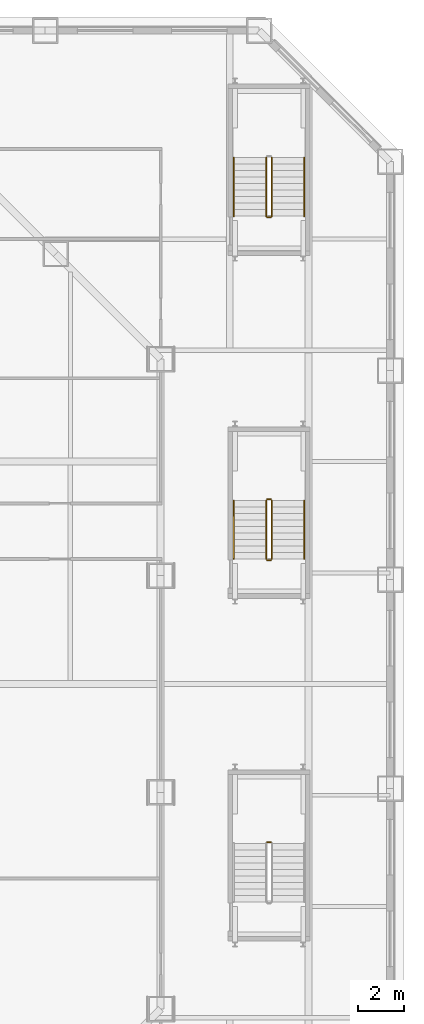
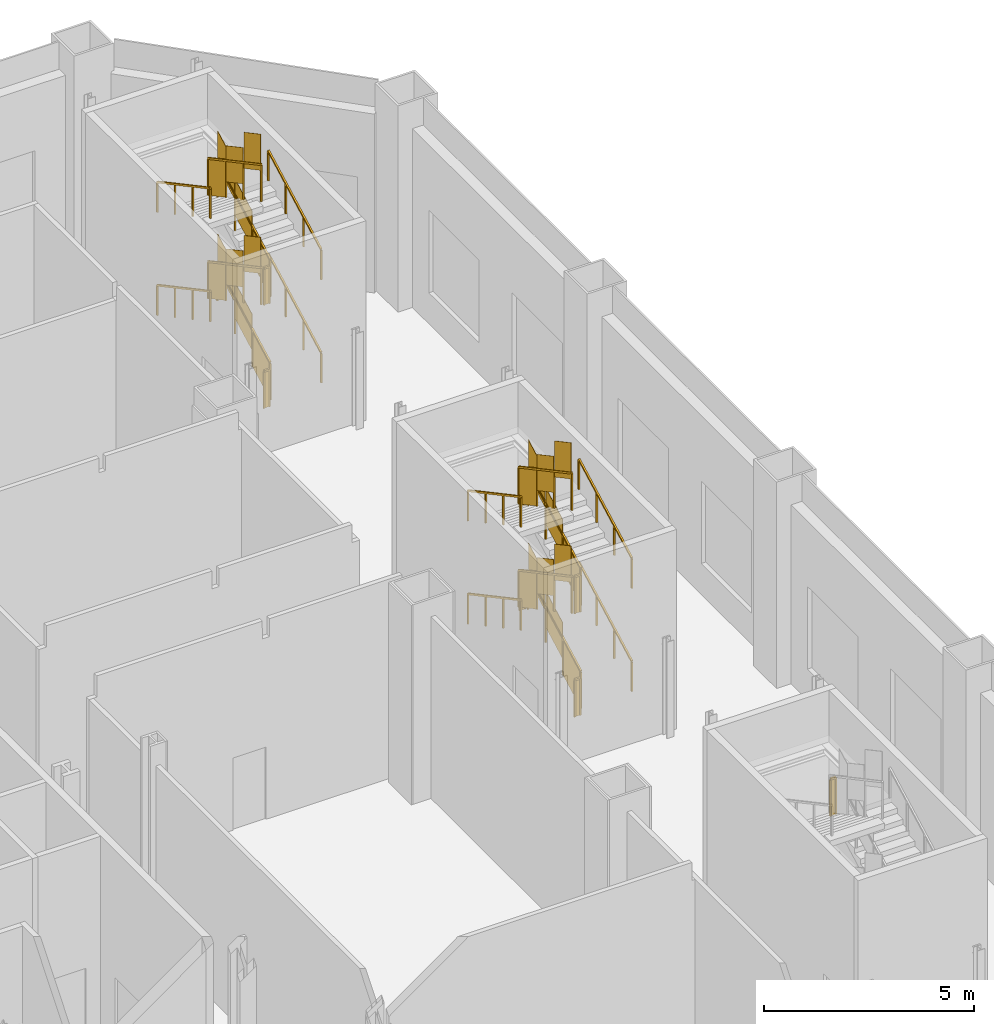
# One storey, part 30 of 31: 23 railings.
"""IFC4 building model written with IfcOpenShell, lengths in metres."""

import ifcopenshell
import ifcopenshell.guid

model = None  # the IFC model being written
_history = None  # IfcOwnerHistory: only IFC2X3 demands one
_inside = {}  # id of a spatial element -> (the spatial element, [elements in it])
_under = {}  # id of a project, library or spatial element -> (it, [spatial elements below it])
_declared = {}  # id of a project -> (the project, [libraries it declares])
_typed = {}  # id of a type object -> (the type object, [elements of that type])
_made_of = {}  # id of a material, layer set ... -> (it, [elements and type objects made of it])


def new_model(schema):
    """Start an empty IFC model of exactly this schema.

    Asked for "IFC4X3", IfcOpenShell would pick the latest addendum, in which some entities
    have other attributes; the version numbers below select the first issue.
    IFC2X3 requires an IfcOwnerHistory on every rooted entity: one is made here for all.
    """
    global model, _history
    if schema == "IFC4X3":
        model = ifcopenshell.file(schema_version=(4, 3, 0, 0))
    else:
        model = ifcopenshell.file(schema=schema)
    _inside.clear()
    _under.clear()
    _declared.clear()
    _typed.clear()
    _made_of.clear()
    _history = None
    if model.schema == "IFC2X3":
        org = make("IfcOrganization", Name="unknown")
        user = make(
            "IfcPersonAndOrganization",
            ThePerson=make("IfcPerson", FamilyName="unknown"),
            TheOrganization=org,
        )
        app = make(
            "IfcApplication",
            ApplicationDeveloper=org,
            Version="unknown",
            ApplicationFullName="unknown",
            ApplicationIdentifier="unknown",
        )
        _history = make(
            "IfcOwnerHistory",
            OwningUser=user,
            OwningApplication=app,
            ChangeAction="ADDED",
            CreationDate=0,
        )
    return model


def make(cls, **values):
    """One entity of the class cls with the attributes given. An attribute that is None is left unset."""
    return model.create_entity(
        cls, **{name: value for name, value in values.items() if value is not None}
    )


def rooted(cls, **values):
    """An entity with a GlobalId (a new one), such as an element, a storey or a relation."""
    return make(cls, GlobalId=ifcopenshell.guid.new(), OwnerHistory=_history, **values)


def si_unit(unit_type, name, prefix=None):
    """IfcSIUnit, for example si_unit("LENGTHUNIT", "METRE", prefix="MILLI")."""
    return make("IfcSIUnit", UnitType=unit_type, Prefix=prefix, Name=name)


def assignment(units):
    """IfcUnitAssignment: the units of a project."""
    return None if units is None else make("IfcUnitAssignment", Units=units)


def point(xyz):
    """IfcCartesianPoint."""
    return None if xyz is None else make("IfcCartesianPoint", Coordinates=xyz)


def direction(xyz):
    """IfcDirection."""
    return None if xyz is None else make("IfcDirection", DirectionRatios=xyz)


def frame(location, z_axis=None, x_axis=None):
    """IfcAxis2Placement3D, a coordinate frame: its origin and axes. An axis left out is left unset."""
    return make(
        "IfcAxis2Placement3D",
        Location=point(location),
        Axis=direction(z_axis),
        RefDirection=direction(x_axis),
    )


def frame_2d(location, x_axis=None):
    """IfcAxis2Placement2D, a coordinate frame in the plane: its origin and x axis."""
    return make(
        "IfcAxis2Placement2D", Location=point(location), RefDirection=direction(x_axis)
    )


def origin():
    """The frame at (0, 0, 0) with its axes left unset."""
    return frame((0.0, 0.0, 0.0))


def origin_2d():
    """The frame at (0, 0) in the plane with its x axis left unset."""
    return frame_2d((0.0, 0.0))


def place(relative_to, where):
    """IfcLocalPlacement: puts the frame where relative to a parent placement (None: the world)."""
    return make(
        "IfcLocalPlacement", PlacementRelTo=relative_to, RelativePlacement=where
    )


def context(
    kind, dimensions, precision=None, world=None, true_north=None, identifier=None
):
    """IfcGeometricRepresentationContext, for example the 3D "Model" context."""
    return make(
        "IfcGeometricRepresentationContext",
        ContextIdentifier=identifier,
        ContextType=kind,
        CoordinateSpaceDimension=dimensions,
        Precision=precision,
        WorldCoordinateSystem=world,
        TrueNorth=true_north,
    )


def subcontext(parent, identifier, kind, view, scale=None):
    """IfcGeometricRepresentationSubContext, for example "Body" below "Model"."""
    return make(
        "IfcGeometricRepresentationSubContext",
        ContextIdentifier=identifier,
        ContextType=kind,
        ParentContext=parent,
        TargetScale=scale,
        TargetView=view,
    )


def project(units=None, contexts=None):
    """IfcProject with its units and contexts."""
    return rooted(
        "IfcProject",
        Name="project",
        RepresentationContexts=contexts,
        UnitsInContext=assignment(units),
    )


def spatial(cls, under=None, at=None, **own):
    """A site, building, storey or space (cls), placed at a placement, below another one or the project."""
    s = rooted(cls, ObjectPlacement=at, **own)
    if under is not None:
        _under.setdefault(under.id(), (under, []))[1].append(s)
    return s


def polyline(points):
    """IfcPolyline through the points."""
    return make("IfcPolyline", Points=[point(p) for p in points])


def profile(cls, at=None, kind="AREA", **sizes):
    """A parametric profile (cls). Its sizes go by their IFC names, for example OverallWidth=200.0."""
    return make(cls, ProfileType=kind, Position=at, **sizes)


def rectangle(**sizes):
    """IfcRectangleProfileDef."""
    return profile("IfcRectangleProfileDef", **sizes)


def outline(outer, holes=None, kind="AREA"):
    """IfcArbitraryClosedProfileDef: a profile drawn as a closed curve; with holes, ...WithVoids."""
    if holes is None:
        return make("IfcArbitraryClosedProfileDef", ProfileType=kind, OuterCurve=outer)
    return make(
        "IfcArbitraryProfileDefWithVoids",
        ProfileType=kind,
        OuterCurve=outer,
        InnerCurves=holes,
    )


def extrude(swept, where, along, depth):
    """IfcExtrudedAreaSolid: the profile swept, set in the frame where, extruded along a direction by depth."""
    return make(
        "IfcExtrudedAreaSolid",
        SweptArea=swept,
        Position=where,
        ExtrudedDirection=direction(along),
        Depth=depth,
    )


def shape(context_of_items, identifier, shape_type, items):
    """IfcShapeRepresentation: the items that make up one representation, for example the "Body"."""
    return make(
        "IfcShapeRepresentation",
        ContextOfItems=context_of_items,
        RepresentationIdentifier=identifier,
        RepresentationType=shape_type,
        Items=items,
    )


def material(Name=None, Category=None):
    """IfcMaterial."""
    return make("IfcMaterial", Name=Name, Category=Category)


def made_of(thing, what):
    """Note that an element or type object is made of a material, layer set ...; save() writes the relation."""
    if what is not None:
        _made_of.setdefault(what.id(), (what, []))[1].append(thing)
    return thing


def type_object(cls, material=None, **own):
    """A type object (cls), such as IfcWallType, which elements share."""
    return made_of(rooted(cls, **own), material)


def element(
    cls,
    number,
    at=None,
    inside=None,
    cuts=None,
    type_object=None,
    material=None,
    context=None,
    identifier="Body",
    shape_type=None,
    held_by="IfcProductDefinitionShape",
    body=None,
    shapes=None,
    **own,
):
    """One element of the class cls, such as IfcWall. Its Tag is "e" and its number.

    at: its placement. inside: the storey or other place that contains it. cuts: it is an
    opening in that element (IfcRelVoidsElement). A single representation is given by context,
    identifier, shape_type and body (its items); several are given by shapes. held_by: the class
    of the entity that holds the representations. save() writes the other relations.
    """
    e = rooted(cls, Tag="e%d" % number, ObjectPlacement=at, **own)
    if body is not None:
        shapes = [shape(context, identifier, shape_type, body)]
    if shapes is not None:
        e.Representation = make(held_by, Representations=shapes)
    if inside is not None:
        _inside.setdefault(inside.id(), (inside, []))[1].append(e)
    if cuts is not None:
        rooted(
            "IfcRelVoidsElement", RelatingBuildingElement=cuts, RelatedOpeningElement=e
        )
    if type_object is not None:
        _typed.setdefault(type_object.id(), (type_object, []))[1].append(e)
    return made_of(e, material)


def aggregate(whole, parts):
    """IfcRelAggregates: a whole, such as a stair, and the parts it consists of."""
    return rooted("IfcRelAggregates", RelatingObject=whole, RelatedObjects=parts)


def save(model, path):
    """Write the relations noted so far, then the file.

    IfcRelAggregates (storeys below a building ...), IfcRelContainedInSpatialStructure (elements
    in a storey), IfcRelDefinesByType, IfcRelAssociatesMaterial and IfcRelDeclares: one each for
    every whole, place, type object, material and project.
    """
    for whole, parts in _under.values():
        aggregate(whole, parts)
    for where, things in _inside.values():
        rooted(
            "IfcRelContainedInSpatialStructure",
            RelatedElements=things,
            RelatingStructure=where,
        )
    for kind, things in _typed.values():
        rooted("IfcRelDefinesByType", RelatedObjects=things, RelatingType=kind)
    for what, things in _made_of.values():
        rooted("IfcRelAssociatesMaterial", RelatedObjects=things, RelatingMaterial=what)
    for by, libraries in _declared.values():
        rooted("IfcRelDeclares", RelatingContext=by, RelatedDefinitions=libraries)
    model.write(path)


model = new_model("IFC4")

# Units and contexts
model_context = context("Model", 3, precision=1e-05, world=origin(), true_north=direction((0.0, 1.0)))
body_context = subcontext(model_context, "Body", "Model", "MODEL_VIEW")
ifc_project = project(units=[si_unit("LENGTHUNIT", "METRE"), si_unit("AREAUNIT", "SQUARE_METRE"), si_unit("VOLUMEUNIT", "CUBIC_METRE"), si_unit("PLANEANGLEUNIT", "RADIAN"), si_unit("MASSUNIT", "GRAM", prefix="KILO")], contexts=[model_context])

# Site, building, storey
site_placement = place(None, origin())
site = spatial("IfcSite", under=ifc_project, at=site_placement, CompositionType="ELEMENT")
building_placement = place(site_placement, origin())
building = spatial("IfcBuilding", under=site, at=building_placement, Name="Cairn Pilgrim Tower", CompositionType="ELEMENT")
storey_placement = place(building_placement, frame((0.0, 0.0, 15.0)))
storey = spatial("IfcBuildingStorey", under=building, at=storey_placement, Name="L02", CompositionType="ELEMENT", Elevation=15.0)

# Railings
ifc_material = material(Name="Painted steel", Category="steel")
railing_type_1 = type_object("IfcRailingType", Name="PODIUM STAIR GUARD 1100", PredefinedType="GUARDRAIL", material=ifc_material)
railing_1_placement = place(storey_placement, frame((32.64990234375, -6.830078125, 4.5)))
element("IfcRailing", 1, at=railing_1_placement, inside=storey, type_object=railing_type_1, Name="L02 ST-ES2 stair guard 6", PredefinedType="GUARDRAIL", context=body_context, shape_type="SweptSolid", body=[
    extrude(rectangle(XDim=0.048095703125, YDim=0.048095703125, at=origin_2d()), frame((0.0, 0.0, 1.076171875), z_axis=(-1.0, 0.0, 0.0), x_axis=(0.0, -1.0, 0.0)), (0.0, 0.0, 1.0), 0.14990234375),
    extrude(rectangle(XDim=0.0419921875, YDim=0.0419921875, at=origin_2d()), origin(), (0.0, 0.0, 1.0), 1.052001953125),
    extrude(rectangle(XDim=0.0419921875, YDim=0.0419921875, at=origin_2d()), frame((-0.14990234375, 0.0, 0.0)), (0.0, 0.0, 1.0), 1.052001953125),
    extrude(outline(polyline([(0.02099609375, 0.0), (0.12890625, 0.0), (0.12890625, 1.052001953125), (0.02099609375, 1.052001953125), (0.02099609375, 0.0)])), frame((0.0, -0.005859375, 0.0), z_axis=(0.0, 1.0, 0.0), x_axis=(-1.0, 0.0, 0.0)), (0.0, 0.0, 1.0), 0.011962890625),
])
railing_2_placement = place(storey_placement, frame((32.699951171875, 5.39990234375, 0.14990234375)))
element("IfcRailing", 2, at=railing_2_placement, inside=storey, type_object=railing_type_1, Name="L02 ST-ES3 stair guard 1", PredefinedType="GUARDRAIL", context=body_context, shape_type="SweptSolid", body=[
    extrude(rectangle(XDim=0.048095703125, YDim=0.048095703125, at=origin_2d()), frame((0.0, 0.0, 1.076171875), z_axis=(0.0, 0.881467274426, 0.472245110209), x_axis=(-1.0, 0.0, 0.0)), (0.0, 0.0, 1.0), 2.85888671875),
    extrude(rectangle(XDim=0.0419921875, YDim=0.0419921875, at=origin_2d()), origin(), (0.0, 0.0, 1.0), 1.052001953125),
    extrude(rectangle(XDim=0.0419921875, YDim=0.0419921875, at=origin_2d()), frame((0.0, 0.840087890625, 0.449951171875)), (0.0, 0.0, 1.0), 1.052001953125),
    extrude(rectangle(XDim=0.0419921875, YDim=0.0419921875, at=origin_2d()), frame((0.0, 1.679931640625, 0.900146484375)), (0.0, 0.0, 1.0), 1.052001953125),
    extrude(rectangle(XDim=0.0419921875, YDim=0.0419921875, at=origin_2d()), frame((0.0, 2.52001953125, 1.35009765625)), (0.0, 0.0, 1.0), 1.052001953125),
    extrude(outline(polyline([(0.02099609375, 0.01123046875), (0.819091796875, 0.438720703125), (0.819091796875, 1.49072265625), (0.02099609375, 1.063232421875), (0.02099609375, 0.01123046875)])), frame((-0.005859375, 0.0, 0.0), z_axis=(1.0, 0.0, 0.0), x_axis=(0.0, 1.0, 0.0)), (0.0, 0.0, 1.0), 0.011962890625),
    extrude(outline(polyline([(0.02099609375, 0.461181640625), (0.819091796875, 0.888916015625), (0.819091796875, 1.94091796875), (0.02099609375, 1.51318359375), (0.02099609375, 0.461181640625)])), frame((-0.005859375, 0.840087890625, 0.449951171875), z_axis=(1.0, 0.0, 0.0), x_axis=(0.0, 1.0, 0.0)), (0.0, 0.0, 1.0), 0.011962890625),
    extrude(outline(polyline([(0.02099609375, 0.911376953125), (0.819091796875, 1.3388671875), (0.819091796875, 2.390869140625), (0.02099609375, 1.96337890625), (0.02099609375, 0.911376953125)])), frame((-0.005859375, 1.679931640625, 0.900146484375), z_axis=(1.0, 0.0, 0.0), x_axis=(0.0, 1.0, 0.0)), (0.0, 0.0, 1.0), 0.011962890625),
])
railing_3_placement = place(storey_placement, frame((32.64990234375, 7.969970703125, 1.5)))
element("IfcRailing", 3, at=railing_3_placement, inside=storey, type_object=railing_type_1, Name="L02 ST-ES3 stair guard 2", PredefinedType="GUARDRAIL", context=body_context, shape_type="SweptSolid", body=[
    extrude(rectangle(XDim=0.048095703125, YDim=0.048095703125, at=origin_2d()), frame((0.0, 0.0, 1.076171875), z_axis=(-1.0, 0.0, 0.0), x_axis=(0.0, -1.0, 0.0)), (0.0, 0.0, 1.0), 0.14990234375),
    extrude(rectangle(XDim=0.0419921875, YDim=0.0419921875, at=origin_2d()), origin(), (0.0, 0.0, 1.0), 1.052001953125),
    extrude(rectangle(XDim=0.0419921875, YDim=0.0419921875, at=origin_2d()), frame((-0.14990234375, 0.0, 0.0)), (0.0, 0.0, 1.0), 1.052001953125),
    extrude(outline(polyline([(0.02099609375, 0.0), (0.12890625, 0.0), (0.12890625, 1.052001953125), (0.02099609375, 1.052001953125), (0.02099609375, 0.0)])), frame((0.0, -0.005859375, 0.0), z_axis=(0.0, 1.0, 0.0), x_axis=(-1.0, 0.0, 0.0)), (0.0, 0.0, 1.0), 0.011962890625),
])
railing_4_placement = place(storey_placement, frame((32.449951171875, 7.919921875, 1.64990234375)))
element("IfcRailing", 4, at=railing_4_placement, inside=storey, type_object=railing_type_1, Name="L02 ST-ES3 stair guard 3", PredefinedType="GUARDRAIL", context=body_context, shape_type="SweptSolid", body=[
    extrude(rectangle(XDim=0.048095703125, YDim=0.048095703125, at=origin_2d()), frame((0.0, 0.0, 1.076171875), z_axis=(0.0, -0.881467274426, 0.472245110209), x_axis=(1.0, 0.0, 0.0)), (0.0, 0.0, 1.0), 2.85888671875),
    extrude(rectangle(XDim=0.0419921875, YDim=0.0419921875, at=origin_2d()), origin(), (0.0, 0.0, 1.0), 1.052001953125),
    extrude(rectangle(XDim=0.0419921875, YDim=0.0419921875, at=origin_2d()), frame((0.0, -0.840087890625, 0.449951171875)), (0.0, 0.0, 1.0), 1.052001953125),
    extrude(rectangle(XDim=0.0419921875, YDim=0.0419921875, at=origin_2d()), frame((0.0, -1.679931640625, 0.900146484375)), (0.0, 0.0, 1.0), 1.052001953125),
    extrude(rectangle(XDim=0.0419921875, YDim=0.0419921875, at=origin_2d()), frame((0.0, -2.52001953125, 1.35009765625)), (0.0, 0.0, 1.0), 1.052001953125),
    extrude(outline(polyline([(0.02099609375, 0.01123046875), (0.819091796875, 0.438720703125), (0.819091796875, 1.49072265625), (0.02099609375, 1.063232421875), (0.02099609375, 0.01123046875)])), frame((0.005859375, 0.0, 0.0), z_axis=(-1.0, 0.0, 0.0), x_axis=(0.0, -1.0, 0.0)), (0.0, 0.0, 1.0), 0.011962890625),
    extrude(outline(polyline([(0.02099609375, 0.461181640625), (0.819091796875, 0.888916015625), (0.819091796875, 1.94091796875), (0.02099609375, 1.51318359375), (0.02099609375, 0.461181640625)])), frame((0.005859375, -0.840087890625, 0.449951171875), z_axis=(-1.0, 0.0, 0.0), x_axis=(0.0, -1.0, 0.0)), (0.0, 0.0, 1.0), 0.011962890625),
    extrude(outline(polyline([(0.02099609375, 0.911376953125), (0.819091796875, 1.3388671875), (0.819091796875, 2.390869140625), (0.02099609375, 1.96337890625), (0.02099609375, 0.911376953125)])), frame((0.005859375, -1.679931640625, 0.900146484375), z_axis=(-1.0, 0.0, 0.0), x_axis=(0.0, -1.0, 0.0)), (0.0, 0.0, 1.0), 0.011962890625),
])
railing_5_placement = place(storey_placement, frame((32.64990234375, 5.35009765625, 3.0)))
element("IfcRailing", 5, at=railing_5_placement, inside=storey, type_object=railing_type_1, Name="L02 ST-ES3 stair guard 4", PredefinedType="GUARDRAIL", context=body_context, shape_type="SweptSolid", body=[
    extrude(rectangle(XDim=0.048095703125, YDim=0.048095703125, at=origin_2d()), frame((0.0, 0.0, 1.076171875), z_axis=(-1.0, 0.0, 0.0), x_axis=(0.0, -1.0, 0.0)), (0.0, 0.0, 1.0), 0.14990234375),
    extrude(rectangle(XDim=0.0419921875, YDim=0.0419921875, at=origin_2d()), origin(), (0.0, 0.0, 1.0), 1.052001953125),
    extrude(rectangle(XDim=0.0419921875, YDim=0.0419921875, at=origin_2d()), frame((-0.14990234375, 0.0, 0.0)), (0.0, 0.0, 1.0), 1.052001953125),
    extrude(outline(polyline([(0.02099609375, 0.0), (0.12890625, 0.0), (0.12890625, 1.052001953125), (0.02099609375, 1.052001953125), (0.02099609375, 0.0)])), frame((0.0, -0.005859375, 0.0), z_axis=(0.0, 1.0, 0.0), x_axis=(-1.0, 0.0, 0.0)), (0.0, 0.0, 1.0), 0.011962890625),
])
railing_6_placement = place(storey_placement, frame((32.699951171875, 5.39990234375, 3.14990234375)))
element("IfcRailing", 6, at=railing_6_placement, inside=storey, type_object=railing_type_1, Name="L02 ST-ES3 stair guard 5", PredefinedType="GUARDRAIL", context=body_context, shape_type="SweptSolid", body=[
    extrude(rectangle(XDim=0.048095703125, YDim=0.048095703125, at=origin_2d()), frame((0.0, 0.0, 1.076171875), z_axis=(0.0, 0.881467274426, 0.472245110209), x_axis=(-1.0, 0.0, 0.0)), (0.0, 0.0, 1.0), 2.85888671875),
    extrude(rectangle(XDim=0.0419921875, YDim=0.0419921875, at=origin_2d()), origin(), (0.0, 0.0, 1.0), 1.052001953125),
    extrude(rectangle(XDim=0.0419921875, YDim=0.0419921875, at=origin_2d()), frame((0.0, 0.840087890625, 0.449951171875)), (0.0, 0.0, 1.0), 1.052001953125),
    extrude(rectangle(XDim=0.0419921875, YDim=0.0419921875, at=origin_2d()), frame((0.0, 1.679931640625, 0.900146484375)), (0.0, 0.0, 1.0), 1.052001953125),
    extrude(rectangle(XDim=0.0419921875, YDim=0.0419921875, at=origin_2d()), frame((0.0, 2.52001953125, 1.35009765625)), (0.0, 0.0, 1.0), 1.052001953125),
    extrude(outline(polyline([(0.02099609375, 0.01123046875), (0.819091796875, 0.438720703125), (0.819091796875, 1.49072265625), (0.02099609375, 1.063232421875), (0.02099609375, 0.01123046875)])), frame((-0.005859375, 0.0, 0.0), z_axis=(1.0, 0.0, 0.0), x_axis=(0.0, 1.0, 0.0)), (0.0, 0.0, 1.0), 0.011962890625),
    extrude(outline(polyline([(0.02099609375, 0.461181640625), (0.819091796875, 0.888916015625), (0.819091796875, 1.94091796875), (0.02099609375, 1.51318359375), (0.02099609375, 0.461181640625)])), frame((-0.005859375, 0.840087890625, 0.449951171875), z_axis=(1.0, 0.0, 0.0), x_axis=(0.0, 1.0, 0.0)), (0.0, 0.0, 1.0), 0.011962890625),
    extrude(outline(polyline([(0.02099609375, 0.911376953125), (0.819091796875, 1.3388671875), (0.819091796875, 2.390869140625), (0.02099609375, 1.96337890625), (0.02099609375, 0.911376953125)])), frame((-0.005859375, 1.679931640625, 0.900146484375), z_axis=(1.0, 0.0, 0.0), x_axis=(0.0, 1.0, 0.0)), (0.0, 0.0, 1.0), 0.011962890625),
])
railing_7_placement = place(storey_placement, frame((32.64990234375, 7.969970703125, 4.5)))
element("IfcRailing", 7, at=railing_7_placement, inside=storey, type_object=railing_type_1, Name="L02 ST-ES3 stair guard 6", PredefinedType="GUARDRAIL", context=body_context, shape_type="SweptSolid", body=[
    extrude(rectangle(XDim=0.048095703125, YDim=0.048095703125, at=origin_2d()), frame((0.0, 0.0, 1.076171875), z_axis=(-1.0, 0.0, 0.0), x_axis=(0.0, -1.0, 0.0)), (0.0, 0.0, 1.0), 0.14990234375),
    extrude(rectangle(XDim=0.0419921875, YDim=0.0419921875, at=origin_2d()), origin(), (0.0, 0.0, 1.0), 1.052001953125),
    extrude(rectangle(XDim=0.0419921875, YDim=0.0419921875, at=origin_2d()), frame((-0.14990234375, 0.0, 0.0)), (0.0, 0.0, 1.0), 1.052001953125),
    extrude(outline(polyline([(0.02099609375, 0.0), (0.12890625, 0.0), (0.12890625, 1.052001953125), (0.02099609375, 1.052001953125), (0.02099609375, 0.0)])), frame((0.0, -0.005859375, 0.0), z_axis=(0.0, 1.0, 0.0), x_axis=(-1.0, 0.0, 0.0)), (0.0, 0.0, 1.0), 0.011962890625),
])
railing_8_placement = place(storey_placement, frame((32.449951171875, 7.919921875, 4.64990234375)))
element("IfcRailing", 8, at=railing_8_placement, inside=storey, type_object=railing_type_1, Name="L02 ST-ES3 stair guard 7", PredefinedType="GUARDRAIL", context=body_context, shape_type="SweptSolid", body=[
    extrude(rectangle(XDim=0.048095703125, YDim=0.048095703125, at=origin_2d()), frame((0.0, 0.0, 1.076171875), z_axis=(0.0, -0.881467274426, 0.472245110209), x_axis=(1.0, 0.0, 0.0)), (0.0, 0.0, 1.0), 2.85888671875),
    extrude(rectangle(XDim=0.0419921875, YDim=0.0419921875, at=origin_2d()), origin(), (0.0, 0.0, 1.0), 1.052001953125),
    extrude(rectangle(XDim=0.0419921875, YDim=0.0419921875, at=origin_2d()), frame((0.0, -0.840087890625, 0.449951171875)), (0.0, 0.0, 1.0), 1.052001953125),
    extrude(rectangle(XDim=0.0419921875, YDim=0.0419921875, at=origin_2d()), frame((0.0, -1.679931640625, 0.900146484375)), (0.0, 0.0, 1.0), 1.052001953125),
    extrude(rectangle(XDim=0.0419921875, YDim=0.0419921875, at=origin_2d()), frame((0.0, -2.52001953125, 1.35009765625)), (0.0, 0.0, 1.0), 1.052001953125),
    extrude(outline(polyline([(0.02099609375, 0.01123046875), (0.819091796875, 0.438720703125), (0.819091796875, 1.49072265625), (0.02099609375, 1.063232421875), (0.02099609375, 0.01123046875)])), frame((0.005859375, 0.0, 0.0), z_axis=(-1.0, 0.0, 0.0), x_axis=(0.0, -1.0, 0.0)), (0.0, 0.0, 1.0), 0.011962890625),
    extrude(outline(polyline([(0.02099609375, 0.461181640625), (0.819091796875, 0.888916015625), (0.819091796875, 1.94091796875), (0.02099609375, 1.51318359375), (0.02099609375, 0.461181640625)])), frame((0.005859375, -0.840087890625, 0.449951171875), z_axis=(-1.0, 0.0, 0.0), x_axis=(0.0, -1.0, 0.0)), (0.0, 0.0, 1.0), 0.011962890625),
    extrude(outline(polyline([(0.02099609375, 0.911376953125), (0.819091796875, 1.3388671875), (0.819091796875, 2.390869140625), (0.02099609375, 1.96337890625), (0.02099609375, 0.911376953125)])), frame((0.005859375, -1.679931640625, 0.900146484375), z_axis=(-1.0, 0.0, 0.0), x_axis=(0.0, -1.0, 0.0)), (0.0, 0.0, 1.0), 0.011962890625),
])
railing_9_placement = place(storey_placement, frame((32.64990234375, 5.35009765625, 0.0)))
element("IfcRailing", 9, at=railing_9_placement, inside=storey, type_object=railing_type_1, Name="L02 ST-ES3 stair guard 8", PredefinedType="GUARDRAIL", context=body_context, shape_type="SweptSolid", body=[
    extrude(rectangle(XDim=0.048095703125, YDim=0.048095703125, at=origin_2d()), frame((0.0, 0.0, 1.076171875), z_axis=(-1.0, 0.0, 0.0), x_axis=(0.0, -1.0, 0.0)), (0.0, 0.0, 1.0), 0.14990234375),
    extrude(rectangle(XDim=0.0419921875, YDim=0.0419921875, at=origin_2d()), origin(), (0.0, 0.0, 1.0), 1.052001953125),
    extrude(rectangle(XDim=0.0419921875, YDim=0.0419921875, at=origin_2d()), frame((-0.14990234375, 0.0, 0.0)), (0.0, 0.0, 1.0), 1.052001953125),
    extrude(outline(polyline([(0.02099609375, 0.0), (0.12890625, 0.0), (0.12890625, 1.052001953125), (0.02099609375, 1.052001953125), (0.02099609375, 0.0)])), frame((0.0, -0.005859375, 0.0), z_axis=(0.0, 1.0, 0.0), x_axis=(-1.0, 0.0, 0.0)), (0.0, 0.0, 1.0), 0.011962890625),
])
railing_10_placement = place(storey_placement, frame((32.699951171875, 20.199951171875, 0.14990234375)))
element("IfcRailing", 10, at=railing_10_placement, inside=storey, type_object=railing_type_1, Name="L02 ST-ES4 stair guard 1", PredefinedType="GUARDRAIL", context=body_context, shape_type="SweptSolid", body=[
    extrude(rectangle(XDim=0.048095703125, YDim=0.048095703125, at=origin_2d()), frame((0.0, 0.0, 1.076171875), z_axis=(0.0, 0.881467274426, 0.472245110209), x_axis=(-1.0, 0.0, 0.0)), (0.0, 0.0, 1.0), 2.85888671875),
    extrude(rectangle(XDim=0.0419921875, YDim=0.0419921875, at=origin_2d()), origin(), (0.0, 0.0, 1.0), 1.052001953125),
    extrude(rectangle(XDim=0.0419921875, YDim=0.0419921875, at=origin_2d()), frame((0.0, 0.840087890625, 0.449951171875)), (0.0, 0.0, 1.0), 1.052001953125),
    extrude(rectangle(XDim=0.0419921875, YDim=0.0419921875, at=origin_2d()), frame((0.0, 1.679931640625, 0.900146484375)), (0.0, 0.0, 1.0), 1.052001953125),
    extrude(rectangle(XDim=0.0419921875, YDim=0.0419921875, at=origin_2d()), frame((0.0, 2.52001953125, 1.35009765625)), (0.0, 0.0, 1.0), 1.052001953125),
    extrude(outline(polyline([(0.02099609375, 0.01123046875), (0.819091796875, 0.438720703125), (0.819091796875, 1.49072265625), (0.02099609375, 1.063232421875), (0.02099609375, 0.01123046875)])), frame((-0.005859375, 0.0, 0.0), z_axis=(1.0, 0.0, 0.0), x_axis=(0.0, 1.0, 0.0)), (0.0, 0.0, 1.0), 0.011962890625),
    extrude(outline(polyline([(0.02099609375, 0.461181640625), (0.819091796875, 0.888916015625), (0.819091796875, 1.94091796875), (0.02099609375, 1.51318359375), (0.02099609375, 0.461181640625)])), frame((-0.005859375, 0.840087890625, 0.449951171875), z_axis=(1.0, 0.0, 0.0), x_axis=(0.0, 1.0, 0.0)), (0.0, 0.0, 1.0), 0.011962890625),
    extrude(outline(polyline([(0.02099609375, 0.911376953125), (0.819091796875, 1.3388671875), (0.819091796875, 2.390869140625), (0.02099609375, 1.96337890625), (0.02099609375, 0.911376953125)])), frame((-0.005859375, 1.679931640625, 0.900146484375), z_axis=(1.0, 0.0, 0.0), x_axis=(0.0, 1.0, 0.0)), (0.0, 0.0, 1.0), 0.011962890625),
])
railing_11_placement = place(storey_placement, frame((32.449951171875, 22.719970703125, 1.64990234375)))
element("IfcRailing", 11, at=railing_11_placement, inside=storey, type_object=railing_type_1, Name="L02 ST-ES4 stair guard 3", PredefinedType="GUARDRAIL", context=body_context, shape_type="SweptSolid", body=[
    extrude(rectangle(XDim=0.048095703125, YDim=0.048095703125, at=origin_2d()), frame((0.0, 0.0, 1.076171875), z_axis=(0.0, -0.881467274426, 0.472245110209), x_axis=(1.0, 0.0, 0.0)), (0.0, 0.0, 1.0), 2.85888671875),
    extrude(rectangle(XDim=0.0419921875, YDim=0.0419921875, at=origin_2d()), origin(), (0.0, 0.0, 1.0), 1.052001953125),
    extrude(rectangle(XDim=0.0419921875, YDim=0.0419921875, at=origin_2d()), frame((0.0, -0.840087890625, 0.449951171875)), (0.0, 0.0, 1.0), 1.052001953125),
    extrude(rectangle(XDim=0.0419921875, YDim=0.0419921875, at=origin_2d()), frame((0.0, -1.679931640625, 0.900146484375)), (0.0, 0.0, 1.0), 1.052001953125),
    extrude(rectangle(XDim=0.0419921875, YDim=0.0419921875, at=origin_2d()), frame((0.0, -2.52001953125, 1.35009765625)), (0.0, 0.0, 1.0), 1.052001953125),
    extrude(outline(polyline([(0.02099609375, 0.01123046875), (0.819091796875, 0.438720703125), (0.819091796875, 1.49072265625), (0.02099609375, 1.063232421875), (0.02099609375, 0.01123046875)])), frame((0.005859375, 0.0, 0.0), z_axis=(-1.0, 0.0, 0.0), x_axis=(0.0, -1.0, 0.0)), (0.0, 0.0, 1.0), 0.011962890625),
    extrude(outline(polyline([(0.02099609375, 0.461181640625), (0.819091796875, 0.888916015625), (0.819091796875, 1.94091796875), (0.02099609375, 1.51318359375), (0.02099609375, 0.461181640625)])), frame((0.005859375, -0.840087890625, 0.449951171875), z_axis=(-1.0, 0.0, 0.0), x_axis=(0.0, -1.0, 0.0)), (0.0, 0.0, 1.0), 0.011962890625),
    extrude(outline(polyline([(0.02099609375, 0.911376953125), (0.819091796875, 1.3388671875), (0.819091796875, 2.390869140625), (0.02099609375, 1.96337890625), (0.02099609375, 0.911376953125)])), frame((0.005859375, -1.679931640625, 0.900146484375), z_axis=(-1.0, 0.0, 0.0), x_axis=(0.0, -1.0, 0.0)), (0.0, 0.0, 1.0), 0.011962890625),
])
railing_12_placement = place(storey_placement, frame((32.64990234375, 20.14990234375, 3.0)))
element("IfcRailing", 12, at=railing_12_placement, inside=storey, type_object=railing_type_1, Name="L02 ST-ES4 stair guard 4", PredefinedType="GUARDRAIL", context=body_context, shape_type="SweptSolid", body=[
    extrude(rectangle(XDim=0.048095703125, YDim=0.048095703125, at=origin_2d()), frame((0.0, 0.0, 1.076171875), z_axis=(-1.0, 0.0, 0.0), x_axis=(0.0, -1.0, 0.0)), (0.0, 0.0, 1.0), 0.14990234375),
    extrude(rectangle(XDim=0.0419921875, YDim=0.0419921875, at=origin_2d()), origin(), (0.0, 0.0, 1.0), 1.052001953125),
    extrude(rectangle(XDim=0.0419921875, YDim=0.0419921875, at=origin_2d()), frame((-0.14990234375, 0.0, 0.0)), (0.0, 0.0, 1.0), 1.052001953125),
    extrude(outline(polyline([(0.02099609375, 0.0), (0.12890625, 0.0), (0.12890625, 1.052001953125), (0.02099609375, 1.052001953125), (0.02099609375, 0.0)])), frame((0.0, -0.005859375, 0.0), z_axis=(0.0, 1.0, 0.0), x_axis=(-1.0, 0.0, 0.0)), (0.0, 0.0, 1.0), 0.011962890625),
])
railing_13_placement = place(storey_placement, frame((32.699951171875, 20.199951171875, 3.14990234375)))
element("IfcRailing", 13, at=railing_13_placement, inside=storey, type_object=railing_type_1, Name="L02 ST-ES4 stair guard 5", PredefinedType="GUARDRAIL", context=body_context, shape_type="SweptSolid", body=[
    extrude(rectangle(XDim=0.048095703125, YDim=0.048095703125, at=origin_2d()), frame((0.0, 0.0, 1.076171875), z_axis=(0.0, 0.881467274426, 0.472245110209), x_axis=(-1.0, 0.0, 0.0)), (0.0, 0.0, 1.0), 2.85888671875),
    extrude(rectangle(XDim=0.0419921875, YDim=0.0419921875, at=origin_2d()), origin(), (0.0, 0.0, 1.0), 1.052001953125),
    extrude(rectangle(XDim=0.0419921875, YDim=0.0419921875, at=origin_2d()), frame((0.0, 0.840087890625, 0.449951171875)), (0.0, 0.0, 1.0), 1.052001953125),
    extrude(rectangle(XDim=0.0419921875, YDim=0.0419921875, at=origin_2d()), frame((0.0, 1.679931640625, 0.900146484375)), (0.0, 0.0, 1.0), 1.052001953125),
    extrude(rectangle(XDim=0.0419921875, YDim=0.0419921875, at=origin_2d()), frame((0.0, 2.52001953125, 1.35009765625)), (0.0, 0.0, 1.0), 1.052001953125),
    extrude(outline(polyline([(0.02099609375, 0.01123046875), (0.819091796875, 0.438720703125), (0.819091796875, 1.49072265625), (0.02099609375, 1.063232421875), (0.02099609375, 0.01123046875)])), frame((-0.005859375, 0.0, 0.0), z_axis=(1.0, 0.0, 0.0), x_axis=(0.0, 1.0, 0.0)), (0.0, 0.0, 1.0), 0.011962890625),
    extrude(outline(polyline([(0.02099609375, 0.461181640625), (0.819091796875, 0.888916015625), (0.819091796875, 1.94091796875), (0.02099609375, 1.51318359375), (0.02099609375, 0.461181640625)])), frame((-0.005859375, 0.840087890625, 0.449951171875), z_axis=(1.0, 0.0, 0.0), x_axis=(0.0, 1.0, 0.0)), (0.0, 0.0, 1.0), 0.011962890625),
    extrude(outline(polyline([(0.02099609375, 0.911376953125), (0.819091796875, 1.3388671875), (0.819091796875, 2.390869140625), (0.02099609375, 1.96337890625), (0.02099609375, 0.911376953125)])), frame((-0.005859375, 1.679931640625, 0.900146484375), z_axis=(1.0, 0.0, 0.0), x_axis=(0.0, 1.0, 0.0)), (0.0, 0.0, 1.0), 0.011962890625),
])
railing_14_placement = place(storey_placement, frame((32.449951171875, 22.719970703125, 4.64990234375)))
element("IfcRailing", 14, at=railing_14_placement, inside=storey, type_object=railing_type_1, Name="L02 ST-ES4 stair guard 7", PredefinedType="GUARDRAIL", context=body_context, shape_type="SweptSolid", body=[
    extrude(rectangle(XDim=0.048095703125, YDim=0.048095703125, at=origin_2d()), frame((0.0, 0.0, 1.076171875), z_axis=(0.0, -0.881467274426, 0.472245110209), x_axis=(1.0, 0.0, 0.0)), (0.0, 0.0, 1.0), 2.85888671875),
    extrude(rectangle(XDim=0.0419921875, YDim=0.0419921875, at=origin_2d()), origin(), (0.0, 0.0, 1.0), 1.052001953125),
    extrude(rectangle(XDim=0.0419921875, YDim=0.0419921875, at=origin_2d()), frame((0.0, -0.840087890625, 0.449951171875)), (0.0, 0.0, 1.0), 1.052001953125),
    extrude(rectangle(XDim=0.0419921875, YDim=0.0419921875, at=origin_2d()), frame((0.0, -1.679931640625, 0.900146484375)), (0.0, 0.0, 1.0), 1.052001953125),
    extrude(rectangle(XDim=0.0419921875, YDim=0.0419921875, at=origin_2d()), frame((0.0, -2.52001953125, 1.35009765625)), (0.0, 0.0, 1.0), 1.052001953125),
    extrude(outline(polyline([(0.02099609375, 0.01123046875), (0.819091796875, 0.438720703125), (0.819091796875, 1.49072265625), (0.02099609375, 1.063232421875), (0.02099609375, 0.01123046875)])), frame((0.005859375, 0.0, 0.0), z_axis=(-1.0, 0.0, 0.0), x_axis=(0.0, -1.0, 0.0)), (0.0, 0.0, 1.0), 0.011962890625),
    extrude(outline(polyline([(0.02099609375, 0.461181640625), (0.819091796875, 0.888916015625), (0.819091796875, 1.94091796875), (0.02099609375, 1.51318359375), (0.02099609375, 0.461181640625)])), frame((0.005859375, -0.840087890625, 0.449951171875), z_axis=(-1.0, 0.0, 0.0), x_axis=(0.0, -1.0, 0.0)), (0.0, 0.0, 1.0), 0.011962890625),
    extrude(outline(polyline([(0.02099609375, 0.911376953125), (0.819091796875, 1.3388671875), (0.819091796875, 2.390869140625), (0.02099609375, 1.96337890625), (0.02099609375, 0.911376953125)])), frame((0.005859375, -1.679931640625, 0.900146484375), z_axis=(-1.0, 0.0, 0.0), x_axis=(0.0, -1.0, 0.0)), (0.0, 0.0, 1.0), 0.011962890625),
])
railing_15_placement = place(storey_placement, frame((32.64990234375, 20.14990234375, 0.0)))
element("IfcRailing", 15, at=railing_15_placement, inside=storey, type_object=railing_type_1, Name="L02 ST-ES4 stair guard 8", PredefinedType="GUARDRAIL", context=body_context, shape_type="SweptSolid", body=[
    extrude(rectangle(XDim=0.048095703125, YDim=0.048095703125, at=origin_2d()), frame((0.0, 0.0, 1.076171875), z_axis=(-1.0, 0.0, 0.0), x_axis=(0.0, -1.0, 0.0)), (0.0, 0.0, 1.0), 0.14990234375),
    extrude(rectangle(XDim=0.0419921875, YDim=0.0419921875, at=origin_2d()), origin(), (0.0, 0.0, 1.0), 1.052001953125),
    extrude(rectangle(XDim=0.0419921875, YDim=0.0419921875, at=origin_2d()), frame((-0.14990234375, 0.0, 0.0)), (0.0, 0.0, 1.0), 1.052001953125),
    extrude(outline(polyline([(0.02099609375, 0.0), (0.12890625, 0.0), (0.12890625, 1.052001953125), (0.02099609375, 1.052001953125), (0.02099609375, 0.0)])), frame((0.0, -0.005859375, 0.0), z_axis=(0.0, 1.0, 0.0), x_axis=(-1.0, 0.0, 0.0)), (0.0, 0.0, 1.0), 0.011962890625),
])
railing_type_2 = type_object("IfcRailingType", Name="PODIUM STAIR HANDRAIL 900", PredefinedType="HANDRAIL", material=ifc_material)
railing_16_placement = place(storey_placement, frame((34.10009765625, 5.39990234375, 0.14990234375)))
element("IfcRailing", 16, at=railing_16_placement, inside=storey, type_object=railing_type_2, Name="L02 ST-ES3 stair handrail 1", PredefinedType="HANDRAIL", context=body_context, shape_type="SweptSolid", body=[
    extrude(rectangle(XDim=0.048095703125, YDim=0.048095703125, at=origin_2d()), frame((0.0, 0.0, 0.8759765625), z_axis=(0.0, 0.881467274426, 0.472245110209), x_axis=(-1.0, 0.0, 0.0)), (0.0, 0.0, 1.0), 2.85888671875),
    extrude(rectangle(XDim=0.0419921875, YDim=0.0419921875, at=origin_2d()), origin(), (0.0, 0.0, 1.0), 0.851806640625),
    extrude(rectangle(XDim=0.0419921875, YDim=0.0419921875, at=origin_2d()), frame((0.0, 0.840087890625, 0.449951171875)), (0.0, 0.0, 1.0), 0.851806640625),
    extrude(rectangle(XDim=0.0419921875, YDim=0.0419921875, at=origin_2d()), frame((0.0, 1.679931640625, 0.900146484375)), (0.0, 0.0, 1.0), 0.851806640625),
    extrude(rectangle(XDim=0.0419921875, YDim=0.0419921875, at=origin_2d()), frame((0.0, 2.52001953125, 1.35009765625)), (0.0, 0.0, 1.0), 0.851806640625),
])
railing_17_placement = place(storey_placement, frame((31.050048828125, 7.919921875, 1.64990234375)))
element("IfcRailing", 17, at=railing_17_placement, inside=storey, type_object=railing_type_2, Name="L02 ST-ES3 stair handrail 2", PredefinedType="HANDRAIL", context=body_context, shape_type="SweptSolid", body=[
    extrude(rectangle(XDim=0.048095703125, YDim=0.048095703125, at=origin_2d()), frame((0.0, 0.0, 0.8759765625), z_axis=(0.0, -0.881467274426, 0.472245110209), x_axis=(1.0, 0.0, 0.0)), (0.0, 0.0, 1.0), 2.85888671875),
    extrude(rectangle(XDim=0.0419921875, YDim=0.0419921875, at=origin_2d()), origin(), (0.0, 0.0, 1.0), 0.851806640625),
    extrude(rectangle(XDim=0.0419921875, YDim=0.0419921875, at=origin_2d()), frame((0.0, -0.840087890625, 0.449951171875)), (0.0, 0.0, 1.0), 0.851806640625),
    extrude(rectangle(XDim=0.0419921875, YDim=0.0419921875, at=origin_2d()), frame((0.0, -1.679931640625, 0.900146484375)), (0.0, 0.0, 1.0), 0.851806640625),
    extrude(rectangle(XDim=0.0419921875, YDim=0.0419921875, at=origin_2d()), frame((0.0, -2.52001953125, 1.35009765625)), (0.0, 0.0, 1.0), 0.851806640625),
])
railing_18_placement = place(storey_placement, frame((34.10009765625, 5.39990234375, 3.14990234375)))
element("IfcRailing", 18, at=railing_18_placement, inside=storey, type_object=railing_type_2, Name="L02 ST-ES3 stair handrail 3", PredefinedType="HANDRAIL", context=body_context, shape_type="SweptSolid", body=[
    extrude(rectangle(XDim=0.048095703125, YDim=0.048095703125, at=origin_2d()), frame((0.0, 0.0, 0.8759765625), z_axis=(0.0, 0.881467274426, 0.472245110209), x_axis=(-1.0, 0.0, 0.0)), (0.0, 0.0, 1.0), 2.85888671875),
    extrude(rectangle(XDim=0.0419921875, YDim=0.0419921875, at=origin_2d()), origin(), (0.0, 0.0, 1.0), 0.851806640625),
    extrude(rectangle(XDim=0.0419921875, YDim=0.0419921875, at=origin_2d()), frame((0.0, 0.840087890625, 0.449951171875)), (0.0, 0.0, 1.0), 0.851806640625),
    extrude(rectangle(XDim=0.0419921875, YDim=0.0419921875, at=origin_2d()), frame((0.0, 1.679931640625, 0.900146484375)), (0.0, 0.0, 1.0), 0.851806640625),
    extrude(rectangle(XDim=0.0419921875, YDim=0.0419921875, at=origin_2d()), frame((0.0, 2.52001953125, 1.35009765625)), (0.0, 0.0, 1.0), 0.851806640625),
])
railing_19_placement = place(storey_placement, frame((31.050048828125, 7.919921875, 4.64990234375)))
element("IfcRailing", 19, at=railing_19_placement, inside=storey, type_object=railing_type_2, Name="L02 ST-ES3 stair handrail 4", PredefinedType="HANDRAIL", context=body_context, shape_type="SweptSolid", body=[
    extrude(rectangle(XDim=0.048095703125, YDim=0.048095703125, at=origin_2d()), frame((0.0, 0.0, 0.8759765625), z_axis=(0.0, -0.881467274426, 0.472245110209), x_axis=(1.0, 0.0, 0.0)), (0.0, 0.0, 1.0), 2.85888671875),
    extrude(rectangle(XDim=0.0419921875, YDim=0.0419921875, at=origin_2d()), origin(), (0.0, 0.0, 1.0), 0.851806640625),
    extrude(rectangle(XDim=0.0419921875, YDim=0.0419921875, at=origin_2d()), frame((0.0, -0.840087890625, 0.449951171875)), (0.0, 0.0, 1.0), 0.851806640625),
    extrude(rectangle(XDim=0.0419921875, YDim=0.0419921875, at=origin_2d()), frame((0.0, -1.679931640625, 0.900146484375)), (0.0, 0.0, 1.0), 0.851806640625),
    extrude(rectangle(XDim=0.0419921875, YDim=0.0419921875, at=origin_2d()), frame((0.0, -2.52001953125, 1.35009765625)), (0.0, 0.0, 1.0), 0.851806640625),
])
railing_20_placement = place(storey_placement, frame((34.10009765625, 20.199951171875, 0.14990234375)))
element("IfcRailing", 20, at=railing_20_placement, inside=storey, type_object=railing_type_2, Name="L02 ST-ES4 stair handrail 1", PredefinedType="HANDRAIL", context=body_context, shape_type="SweptSolid", body=[
    extrude(rectangle(XDim=0.048095703125, YDim=0.048095703125, at=origin_2d()), frame((0.0, 0.0, 0.8759765625), z_axis=(0.0, 0.881467274426, 0.472245110209), x_axis=(-1.0, 0.0, 0.0)), (0.0, 0.0, 1.0), 2.85888671875),
    extrude(rectangle(XDim=0.0419921875, YDim=0.0419921875, at=origin_2d()), origin(), (0.0, 0.0, 1.0), 0.851806640625),
    extrude(rectangle(XDim=0.0419921875, YDim=0.0419921875, at=origin_2d()), frame((0.0, 0.840087890625, 0.449951171875)), (0.0, 0.0, 1.0), 0.851806640625),
    extrude(rectangle(XDim=0.0419921875, YDim=0.0419921875, at=origin_2d()), frame((0.0, 1.679931640625, 0.900146484375)), (0.0, 0.0, 1.0), 0.851806640625),
    extrude(rectangle(XDim=0.0419921875, YDim=0.0419921875, at=origin_2d()), frame((0.0, 2.52001953125, 1.35009765625)), (0.0, 0.0, 1.0), 0.851806640625),
])
railing_21_placement = place(storey_placement, frame((31.050048828125, 22.719970703125, 1.64990234375)))
element("IfcRailing", 21, at=railing_21_placement, inside=storey, type_object=railing_type_2, Name="L02 ST-ES4 stair handrail 2", PredefinedType="HANDRAIL", context=body_context, shape_type="SweptSolid", body=[
    extrude(rectangle(XDim=0.048095703125, YDim=0.048095703125, at=origin_2d()), frame((0.0, 0.0, 0.8759765625), z_axis=(0.0, -0.881467274426, 0.472245110209), x_axis=(1.0, 0.0, 0.0)), (0.0, 0.0, 1.0), 2.85888671875),
    extrude(rectangle(XDim=0.0419921875, YDim=0.0419921875, at=origin_2d()), origin(), (0.0, 0.0, 1.0), 0.851806640625),
    extrude(rectangle(XDim=0.0419921875, YDim=0.0419921875, at=origin_2d()), frame((0.0, -0.840087890625, 0.449951171875)), (0.0, 0.0, 1.0), 0.851806640625),
    extrude(rectangle(XDim=0.0419921875, YDim=0.0419921875, at=origin_2d()), frame((0.0, -1.679931640625, 0.900146484375)), (0.0, 0.0, 1.0), 0.851806640625),
    extrude(rectangle(XDim=0.0419921875, YDim=0.0419921875, at=origin_2d()), frame((0.0, -2.52001953125, 1.35009765625)), (0.0, 0.0, 1.0), 0.851806640625),
])
railing_22_placement = place(storey_placement, frame((34.10009765625, 20.199951171875, 3.14990234375)))
element("IfcRailing", 22, at=railing_22_placement, inside=storey, type_object=railing_type_2, Name="L02 ST-ES4 stair handrail 3", PredefinedType="HANDRAIL", context=body_context, shape_type="SweptSolid", body=[
    extrude(rectangle(XDim=0.048095703125, YDim=0.048095703125, at=origin_2d()), frame((0.0, 0.0, 0.8759765625), z_axis=(0.0, 0.881467274426, 0.472245110209), x_axis=(-1.0, 0.0, 0.0)), (0.0, 0.0, 1.0), 2.85888671875),
    extrude(rectangle(XDim=0.0419921875, YDim=0.0419921875, at=origin_2d()), origin(), (0.0, 0.0, 1.0), 0.851806640625),
    extrude(rectangle(XDim=0.0419921875, YDim=0.0419921875, at=origin_2d()), frame((0.0, 0.840087890625, 0.449951171875)), (0.0, 0.0, 1.0), 0.851806640625),
    extrude(rectangle(XDim=0.0419921875, YDim=0.0419921875, at=origin_2d()), frame((0.0, 1.679931640625, 0.900146484375)), (0.0, 0.0, 1.0), 0.851806640625),
    extrude(rectangle(XDim=0.0419921875, YDim=0.0419921875, at=origin_2d()), frame((0.0, 2.52001953125, 1.35009765625)), (0.0, 0.0, 1.0), 0.851806640625),
])
railing_23_placement = place(storey_placement, frame((31.050048828125, 22.719970703125, 4.64990234375)))
element("IfcRailing", 23, at=railing_23_placement, inside=storey, type_object=railing_type_2, Name="L02 ST-ES4 stair handrail 4", PredefinedType="HANDRAIL", context=body_context, shape_type="SweptSolid", body=[
    extrude(rectangle(XDim=0.048095703125, YDim=0.048095703125, at=origin_2d()), frame((0.0, 0.0, 0.8759765625), z_axis=(0.0, -0.881467274426, 0.472245110209), x_axis=(1.0, 0.0, 0.0)), (0.0, 0.0, 1.0), 2.85888671875),
    extrude(rectangle(XDim=0.0419921875, YDim=0.0419921875, at=origin_2d()), origin(), (0.0, 0.0, 1.0), 0.851806640625),
    extrude(rectangle(XDim=0.0419921875, YDim=0.0419921875, at=origin_2d()), frame((0.0, -0.840087890625, 0.449951171875)), (0.0, 0.0, 1.0), 0.851806640625),
    extrude(rectangle(XDim=0.0419921875, YDim=0.0419921875, at=origin_2d()), frame((0.0, -1.679931640625, 0.900146484375)), (0.0, 0.0, 1.0), 0.851806640625),
    extrude(rectangle(XDim=0.0419921875, YDim=0.0419921875, at=origin_2d()), frame((0.0, -2.52001953125, 1.35009765625)), (0.0, 0.0, 1.0), 0.851806640625),
])

save(model, "model.ifc")
